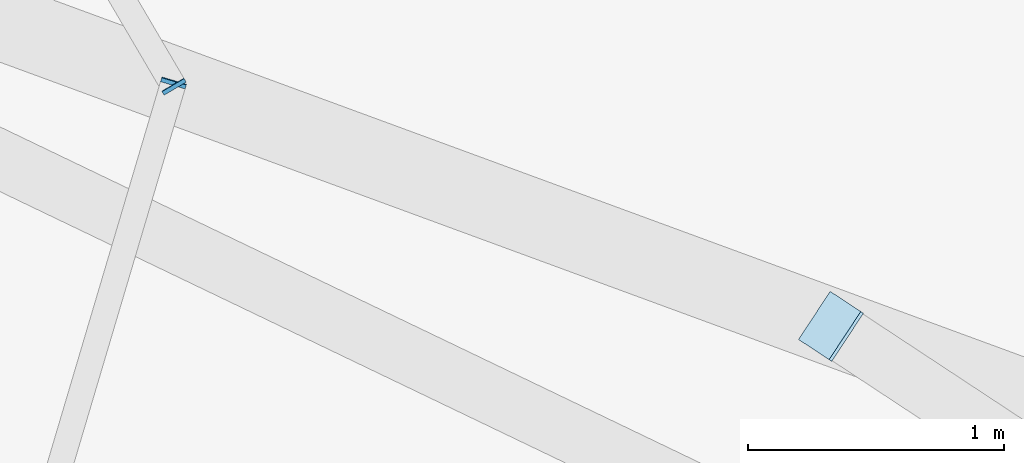
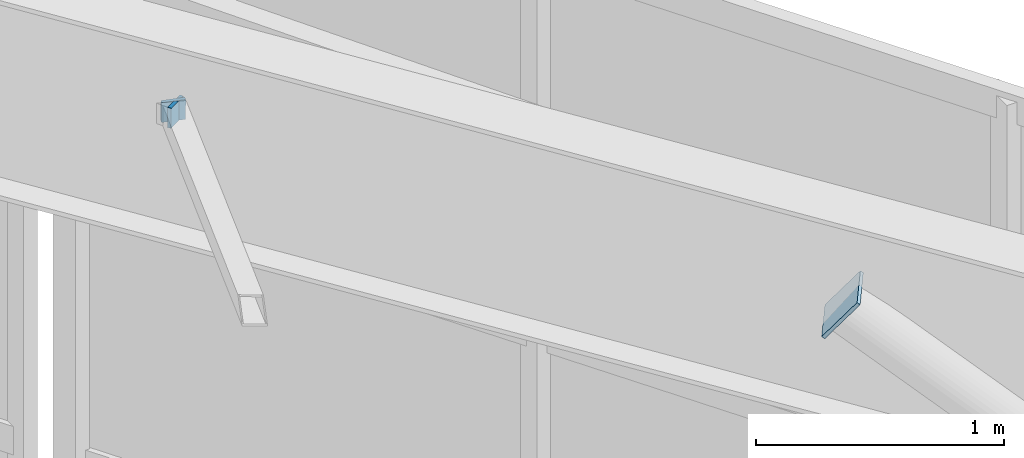
# One storey, part 38 of 50: 3 plates.
"""IFC4 building model written with IfcOpenShell, lengths in metres."""

from ifc_helpers import new_model, si_unit, direction, frame, origin, origin_2d, place, context, subcontext, project, spatial, rectangle, extrude, material, layer, layer_set, type_object, element, save


model = new_model("IFC4")

# Units and contexts
model_context = context("Model", 3, precision=1e-05, world=origin(), true_north=direction((0.0, 1.0)))
body_context = subcontext(model_context, "Body", "Model", "MODEL_VIEW")
ifc_project = project(units=[si_unit("LENGTHUNIT", "METRE"), si_unit("AREAUNIT", "SQUARE_METRE"), si_unit("VOLUMEUNIT", "CUBIC_METRE"), si_unit("PLANEANGLEUNIT", "RADIAN"), si_unit("MASSUNIT", "GRAM", prefix="KILO")], contexts=[model_context])

# Site, building, storey
site_placement = place(None, origin())
site = spatial("IfcSite", under=ifc_project, at=site_placement, CompositionType="ELEMENT")
building_placement = place(site_placement, origin())
building = spatial("IfcBuilding", under=site, at=building_placement, Name="Sarnbrook Museum", CompositionType="ELEMENT")
storey_placement = place(building_placement, frame((0.0, 0.0, 28.10009765625)))
storey = spatial("IfcBuildingStorey", under=building, at=storey_placement, Name="L05", CompositionType="ELEMENT", Elevation=28.10009765625)

# Plates
ifc_material = material(Name="Structural Steel Grade 350L0 (AS/NZS 3678, fy = 340 MPa for 20 < t <= 40 mm)", Category="steel")
ifc_layer_1 = layer(ifc_material, 0.01611328125)
ifc_layer_set_1 = layer_set([ifc_layer_1], Name="Structural Steel Grade 350L0 (AS/NZS 3678, fy = 340 MPa for 20 < t <= 40 mm)")
plate_type_1 = type_object("IfcPlateType", Name="EndCapPlate_CAP100", PredefinedType="USERDEFINED", material=ifc_layer_set_1)
for number, where, z_axis, x_axis, name in (
    (1, (154.979736328125, 91.48583984375, 10.432861328125), (0.28441749825, 0.958068422275, 0.034807828566), (-0.958649340833, 0.28458995295, 0.0), "Hollow End Cap Plate CRPR:3:2-2"),
    (2, (154.98779296875, 91.47216796875, 10.432373046875), (-0.505933110009, 0.862283457396, 0.022336680545), (-0.8624986463, -0.506059369176, 0.0), "Hollow End Cap Plate CRPR:4:2-1"),
):
    element("IfcPlate", number, at=place(storey_placement, frame(where, z_axis=z_axis, x_axis=x_axis)), inside=storey, type_object=plate_type_1, Name=name, ObjectType="END CAP PLATE", PredefinedType="USERDEFINED", context=body_context, shape_type="SweptSolid", body=[
        extrude(rectangle(XDim=0.10009765625, YDim=0.10009765625, at=origin_2d()), origin(), (0.0, 0.0, 1.0), 0.01611328125),
    ])
ifc_layer_2 = layer(ifc_material, 0.01611328125)
ifc_layer_set_2 = layer_set([ifc_layer_2], Name="Structural Steel Grade 350L0 (AS/NZS 3678, fy = 340 MPa for 20 < t <= 40 mm)")
plate_type_2 = type_object("IfcPlateType", Name="EndCapPlate_CAP219", PredefinedType="USERDEFINED", material=ifc_layer_set_2)
plate_placement = place(storey_placement, frame((157.55810546875, 90.5380859375, 9.144775390625), z_axis=(-0.643707813118, 0.424301956611, 0.636873693087), x_axis=(-0.550349521933, -0.834934370899, 0.0)))
element("IfcPlate", 3, at=plate_placement, inside=storey, type_object=plate_type_2, Name="Hollow End Cap Plate CRTR:WEB:4-2", ObjectType="END CAP PLATE", PredefinedType="USERDEFINED", context=body_context, shape_type="SweptSolid", body=[
    extrude(rectangle(XDim=0.22509765625, YDim=0.22509765625, at=origin_2d()), origin(), (0.0, 0.0, 1.0), 0.01611328125),
])

save(model, "model.ifc")
